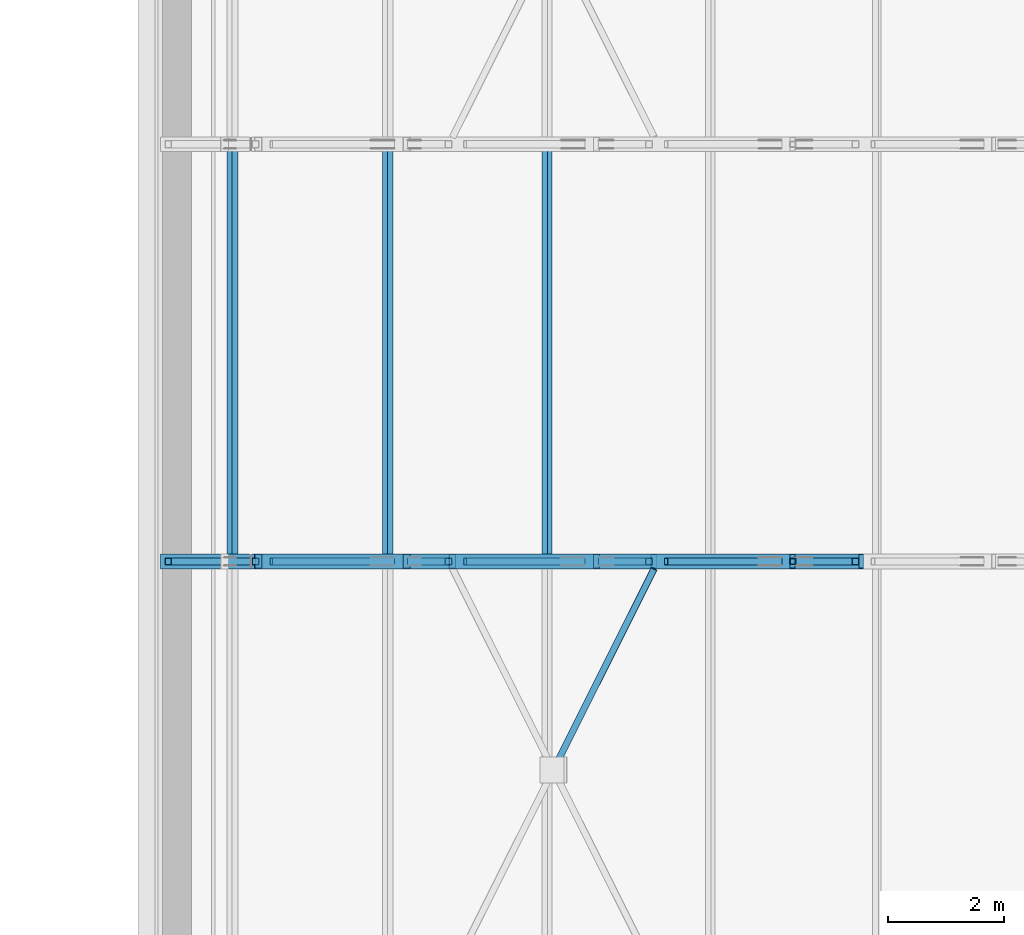
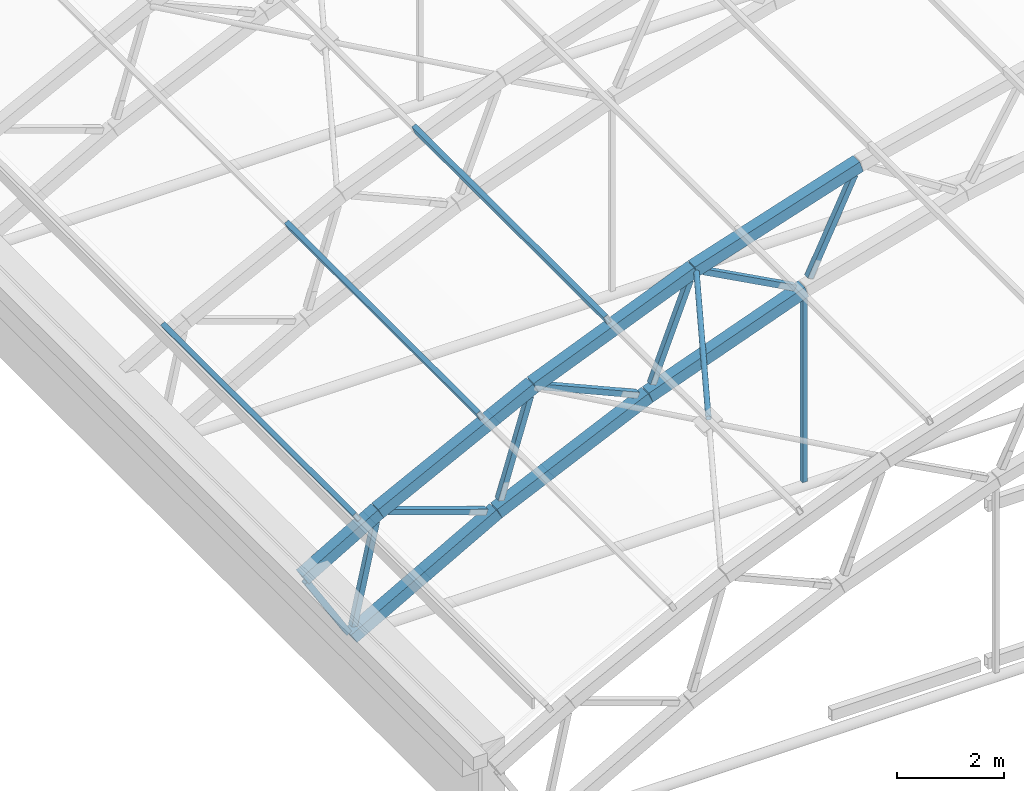
# One storey, part 8 of 127: 20 members.
"""IFC4 building model written with IfcOpenShell, lengths in metres."""

from ifc_helpers import new_model, si_unit, direction, frame, origin, origin_2d, place, context, subcontext, project, spatial, hollow_rectangle, hollow_circle, extrude, material, material_profile, profile_set, type_object, element, save


model = new_model("IFC4")

# Units and contexts
model_context = context("Model", 3, precision=1e-05, world=origin(), true_north=direction((0.0, 1.0)))
body_context = subcontext(model_context, "Body", "Model", "MODEL_VIEW")
ifc_project = project(units=[si_unit("LENGTHUNIT", "METRE"), si_unit("AREAUNIT", "SQUARE_METRE"), si_unit("VOLUMEUNIT", "CUBIC_METRE"), si_unit("PLANEANGLEUNIT", "RADIAN"), si_unit("MASSUNIT", "GRAM", prefix="KILO")], contexts=[model_context])

# Site, building, storey
site_placement = place(None, origin())
site = spatial("IfcSite", under=ifc_project, at=site_placement, CompositionType="ELEMENT")
building_placement = place(site_placement, origin())
building = spatial("IfcBuilding", under=site, at=building_placement, Name="Verrick Yard Athletic Hall", CompositionType="ELEMENT")
storey_placement = place(building_placement, frame((0.0, 0.0, 14.0)))
storey = spatial("IfcBuildingStorey", under=building, at=storey_placement, Name="L03", CompositionType="ELEMENT", Elevation=14.0)

# Members
ifc_material = material(Name="Structural steel HSS Class C 350W (CSA G40.20/G40.21)", Category="steel")
ifc_material_profile_1 = material_profile(ifc_material, hollow_rectangle(XDim=0.25390625, YDim=0.25390625, WallThickness=0.009521484375, at=origin_2d()), Name="HSS254x254x9.5")
ifc_profile_set_1 = profile_set([ifc_material_profile_1], Name="Structural steel HSS Class C 350W (CSA G40.20/G40.21)")
member_type_1 = type_object("IfcMemberType", Name="HB bottom chord HSS254x254x9.5", PredefinedType="CHORD", material=ifc_profile_set_1)
member_1_placement = place(storey_placement, frame((28.0, 79.199951171875, 0.0), z_axis=(0.872881488331, 0.0, 0.4879322774), x_axis=(0.0, 1.0, 0.0)))
element("IfcMember", 1, at=member_1_placement, inside=storey, type_object=member_type_1, Name="Truss TB2 bottom chord 1", PredefinedType="CHORD", context=body_context, shape_type="SweptSolid", body=[
    extrude(hollow_rectangle(XDim=0.25390625, YDim=0.25390625, WallThickness=0.009521484375, at=origin_2d()), origin(), (0.0, 0.0, 1.0), 3.60107421875),
])
member_2_placement = place(storey_placement, frame((31.15234375, 79.199951171875, 1.761474609375), z_axis=(0.908445597889, 0.0, 0.418003104865), x_axis=(0.0, 1.0, 0.0)))
element("IfcMember", 2, at=member_2_placement, inside=storey, type_object=member_type_1, Name="Truss TB2 bottom chord 2", PredefinedType="CHORD", context=body_context, shape_type="SweptSolid", body=[
    extrude(hollow_rectangle(XDim=0.25390625, YDim=0.25390625, WallThickness=0.009521484375, at=origin_2d()), origin(), (0.0, 0.0, 1.0), 3.59619140625),
])
member_3_placement = place(storey_placement, frame((34.42822265625, 79.199951171875, 3.2685546875), z_axis=(0.938394107905, 0.0, 0.345566922966), x_axis=(0.0, 1.0, 0.0)))
element("IfcMember", 3, at=member_3_placement, inside=storey, type_object=member_type_1, Name="Truss TB2 bottom chord 3", PredefinedType="CHORD", context=body_context, shape_type="SweptSolid", body=[
    extrude(hollow_rectangle(XDim=0.25390625, YDim=0.25390625, WallThickness=0.009521484375, at=origin_2d()), origin(), (0.0, 0.0, 1.0), 3.595947265625),
])
ifc_material_profile_2 = material_profile(ifc_material, hollow_rectangle(XDim=0.1015625, YDim=0.203125, WallThickness=0.009521484375, at=origin_2d()), Name="HSS203x102x9.5")
ifc_profile_set_2 = profile_set([ifc_material_profile_2], Name="Structural steel HSS Class C 350W (CSA G40.20/G40.21)")
member_type_2 = type_object("IfcMemberType", Name="HB purlin HSS203x102x9.5", PredefinedType="PURLIN", material=ifc_profile_set_2)
for number, where, z_axis, x_axis, name in (
    (4, (28.1357421875, 79.199951171875, 2.660888671875), (0.0, 1.0, 0.0), (-0.86316809178, 0.0, -0.504916671673), "HB-PU-B-2-1"),
    (5, (30.81103515625, 79.199951171875, 4.046875), (0.0, 1.0, 0.0), (-0.891352741199, 0.0, -0.453310369126), "HB-PU-B-2-2"),
    (6, (33.56201171875, 79.199951171875, 5.2822265625), (0.0, 1.0, 0.0), (-0.924122791552, 0.0, -0.382095624331), "HB-PU-B-2-3"),
):
    element("IfcMember", number, at=place(storey_placement, frame(where, z_axis=z_axis, x_axis=x_axis)), inside=storey, type_object=member_type_2, Name=name, PredefinedType="PURLIN", context=body_context, shape_type="SweptSolid", body=[
        extrude(hollow_rectangle(XDim=0.1015625, YDim=0.203125, WallThickness=0.009521484375, at=origin_2d()), origin(), (0.0, 0.0, 1.0), 7.199951171875),
    ])
ifc_material_profile_3 = material_profile(ifc_material, hollow_circle(Radius=0.05712890625, WallThickness=0.00634765625, at=origin_2d()), Name="HSS114x6.4")
ifc_profile_set_3 = profile_set([ifc_material_profile_3], Name="Structural steel HSS Class C 350W (CSA G40.20/G40.21)")
member_type_3 = type_object("IfcMemberType", Name="HB roof brace HSS114x6.4", PredefinedType="BRACE", material=ifc_profile_set_3)
member_4_placement = place(storey_placement, frame((33.719970703125, 75.69287109375, 5.10009765625), z_axis=(0.440175081997, 0.879270525212, 0.182014396913), x_axis=(-0.894207487255, 0.447652733418, 0.0)))
element("IfcMember", 7, at=member_4_placement, inside=storey, type_object=member_type_3, Name="HB-BR-B-1-1b2", PredefinedType="BRACE", context=body_context, shape_type="SweptSolid", body=[
    extrude(hollow_circle(Radius=0.05712890625, WallThickness=0.00634765625, at=origin_2d()), origin(), (0.0, 0.0, 1.0), 3.84423828125),
])
ifc_material_profile_4 = material_profile(ifc_material, hollow_rectangle(XDim=0.25390625, YDim=0.25390625, WallThickness=0.009521484375, at=origin_2d()), Name="HSS254x254x9.5")
ifc_profile_set_4 = profile_set([ifc_material_profile_4], Name="Structural steel HSS Class C 350W (CSA G40.20/G40.21)")
member_type_4 = type_object("IfcMemberType", Name="HB top chord HSS254x254x9.5", PredefinedType="CHORD", material=ifc_profile_set_4)
member_5_placement = place(storey_placement, frame((26.95654296875, 79.199951171875, 1.706298828125), z_axis=(0.863174775639, 0.0, 0.504905245269), x_axis=(0.0, 1.0, 0.0)))
element("IfcMember", 8, at=member_5_placement, inside=storey, type_object=member_type_4, Name="Truss TB2 top chord 1", PredefinedType="CHORD", context=body_context, shape_type="SweptSolid", body=[
    extrude(hollow_rectangle(XDim=0.25390625, YDim=0.25390625, WallThickness=0.009521484375, at=origin_2d()), origin(), (0.0, 0.0, 1.0), 1.878173828125),
])
member_6_placement = place(storey_placement, frame((28.584228515625, 79.199951171875, 2.657958984375), z_axis=(0.891336584454, 0.0, 0.453342137037), x_axis=(0.0, 1.0, 0.0)))
element("IfcMember", 9, at=member_6_placement, inside=storey, type_object=member_type_4, Name="Truss TB2 top chord 2", PredefinedType="CHORD", context=body_context, shape_type="SweptSolid", body=[
    extrude(hollow_rectangle(XDim=0.25390625, YDim=0.25390625, WallThickness=0.009521484375, at=origin_2d()), origin(), (0.0, 0.0, 1.0), 3.754150390625),
])
for number, where, z_axis, x_axis, name in (
    (10, (31.939453125, 79.199951171875, 4.364013671875), (0.924130129149, 0.0, 0.382077877402), (0.0, 1.0, 0.0), "Truss TB2 top chord 3"),
    (11, (35.4169921875, 79.199951171875, 5.80126953125), (0.951202693453, 0.0, 0.308566744754), (0.0, 1.0, 0.0), "Truss TB2 top chord 4"),
):
    element("IfcMember", number, at=place(storey_placement, frame(where, z_axis=z_axis, x_axis=x_axis)), inside=storey, type_object=member_type_4, Name=name, PredefinedType="CHORD", context=body_context, shape_type="SweptSolid", body=[
        extrude(hollow_rectangle(XDim=0.25390625, YDim=0.25390625, WallThickness=0.009521484375, at=origin_2d()), origin(), (0.0, 0.0, 1.0), 3.752685546875),
    ])
ifc_material_profile_5 = material_profile(ifc_material, hollow_rectangle(XDim=0.126953125, YDim=0.126953125, WallThickness=0.009521484375, at=origin_2d()), Name="HSS127x127x9.5")
ifc_profile_set_5 = profile_set([ifc_material_profile_5], Name="Structural steel HSS Class C 350W (CSA G40.20/G40.21)")
member_type_5 = type_object("IfcMemberType", Name="HB truss end post HSS127x127x9.5", PredefinedType="POST", material=ifc_profile_set_5)
member_7_placement = place(storey_placement, frame((27.932373046875, 79.199951171875, 0.110595703125), z_axis=(-0.521773101112, 0.0, 0.853084304718), x_axis=(0.0, -1.0, 0.0)))
element("IfcMember", 12, at=member_7_placement, inside=storey, type_object=member_type_5, Name="Truss TB2 end post 1", PredefinedType="POST", context=body_context, shape_type="SweptSolid", body=[
    extrude(hollow_rectangle(XDim=0.126953125, YDim=0.126953125, WallThickness=0.009521484375, at=origin_2d()), origin(), (0.0, 0.0, 1.0), 1.741943359375),
])
ifc_material_profile_6 = material_profile(ifc_material, hollow_rectangle(XDim=0.1015625, YDim=0.1015625, WallThickness=0.00634765625, at=origin_2d()), Name="HSS102x102x6.4")
ifc_profile_set_6 = profile_set([ifc_material_profile_6], Name="Structural steel HSS Class C 350W (CSA G40.20/G40.21)")
member_type_6 = type_object("IfcMemberType", Name="HB truss hanger HSS102x102x6.4", PredefinedType="MEMBER", material=ifc_profile_set_6)
member_8_placement = place(storey_placement, frame((37.807373046875, 79.199951171875, 4.35888671875), z_axis=(0.0, 0.0, -1.0), x_axis=(0.0, -1.0, 0.0)))
element("IfcMember", 13, at=member_8_placement, inside=storey, type_object=member_type_6, Name="Truss TB2 hanger 1", PredefinedType="MEMBER", context=body_context, shape_type="SweptSolid", body=[
    extrude(hollow_rectangle(XDim=0.1015625, YDim=0.1015625, WallThickness=0.00634765625, at=origin_2d()), origin(), (0.0, 0.0, 1.0), 4.249267578125),
])
ifc_material_profile_7 = material_profile(ifc_material, hollow_rectangle(XDim=0.126953125, YDim=0.126953125, WallThickness=0.009521484375, at=origin_2d()), Name="HSS127x127x9.5")
ifc_profile_set_7 = profile_set([ifc_material_profile_7], Name="Structural steel HSS Class C 350W (CSA G40.20/G40.21)")
member_type_7 = type_object("IfcMemberType", Name="HB truss web HSS127x127x9.5", PredefinedType="BRACE", material=ifc_profile_set_7)
member_9_placement = place(storey_placement, frame((28.04833984375, 79.199951171875, 0.220703125), z_axis=(0.213603528569, 0.0, 0.976920433087), x_axis=(0.0, 1.0, 0.0)))
element("IfcMember", 14, at=member_9_placement, inside=storey, type_object=member_type_7, Name="Truss end diagonal TB2-1", PredefinedType="BRACE", context=body_context, shape_type="SweptSolid", body=[
    extrude(hollow_rectangle(XDim=0.126953125, YDim=0.126953125, WallThickness=0.009521484375, at=origin_2d()), origin(), (0.0, 0.0, 1.0), 2.261962890625),
])
member_10_placement = place(storey_placement, frame((28.804443359375, 79.199951171875, 2.578369140625), z_axis=(0.944015035532, 0.0, -0.329902429045), x_axis=(0.0, 1.0, 0.0)))
element("IfcMember", 15, at=member_10_placement, inside=storey, type_object=member_type_7, Name="Truss TB2 web 2", PredefinedType="BRACE", context=body_context, shape_type="SweptSolid", body=[
    extrude(hollow_rectangle(XDim=0.126953125, YDim=0.126953125, WallThickness=0.009521484375, at=origin_2d()), origin(), (0.0, 0.0, 1.0), 2.2333984375),
])
for number, where, z_axis, x_axis, name in (
    (16, (31.2197265625, 79.199951171875, 1.99755859375), (0.289443070658, 0.0, 0.957195230268), (0.0, 1.0, 0.0), "Truss TB2 web 3"),
    (17, (32.151611328125, 79.199951171875, 4.2666015625), (0.915297302882, 0.0, -0.402778906272), (0.0, 1.0, 0.0), "Truss TB2 web 4"),
    (18, (34.513916015625, 79.199951171875, 3.49853515625), (0.363632709383, 0.0, 0.93154240519), (0.0, 1.0, 0.0), "Truss TB2 web 5"),
    (19, (35.620849609375, 79.199951171875, 5.687744140625), (0.880902446091, 0.0, -0.473297877103), (0.0, 1.0, 0.0), "Truss TB2 web 6"),
    (20, (37.915771484375, 79.199951171875, 4.73681640625), (0.435458074734, 0.0, 0.900209011924), (0.0, 1.0, 0.0), "Truss TB2 web 7"),
):
    element("IfcMember", number, at=place(storey_placement, frame(where, z_axis=z_axis, x_axis=x_axis)), inside=storey, type_object=member_type_7, Name=name, PredefinedType="BRACE", context=body_context, shape_type="SweptSolid", body=[
        extrude(hollow_rectangle(XDim=0.126953125, YDim=0.126953125, WallThickness=0.009521484375, at=origin_2d()), origin(), (0.0, 0.0, 1.0), 2.233642578125),
    ])

save(model, "model.ifc")
